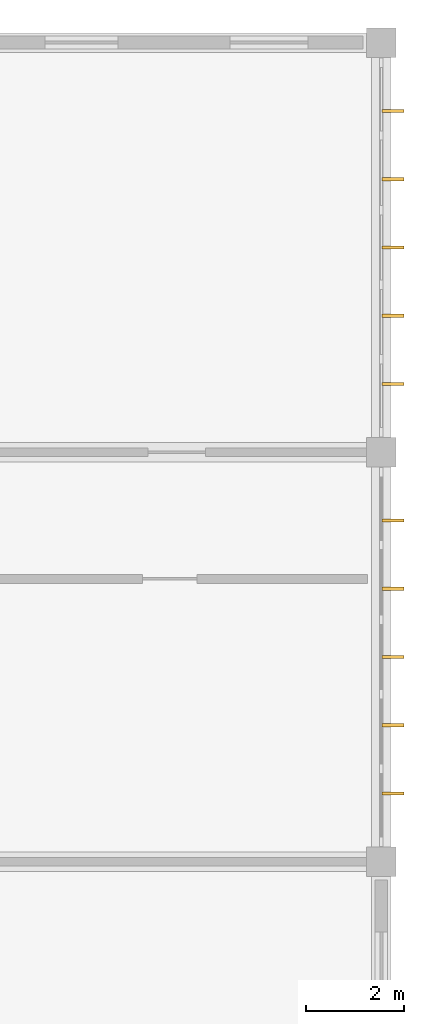
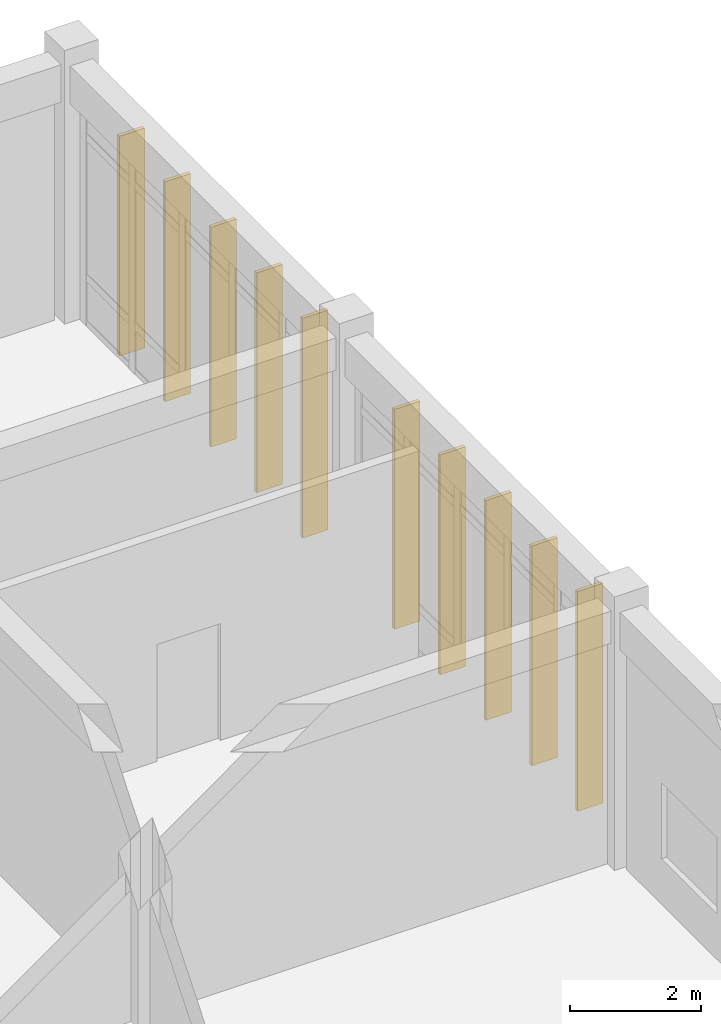
# One storey, part 134 of 134: 10 shading devices.
"""IFC4 building model written with IfcOpenShell, lengths in metres."""

from ifc_helpers import new_model, si_unit, direction, frame, origin, origin_2d, place, context, subcontext, project, spatial, rectangle, extrude, material, material_profile, profile_set, type_object, element, save


model = new_model("IFC4")

# Units and contexts
model_context = context("Model", 3, precision=1e-05, world=origin(), true_north=direction((0.0, 1.0)))
body_context = subcontext(model_context, "Body", "Model", "MODEL_VIEW")
ifc_project = project(units=[si_unit("LENGTHUNIT", "METRE"), si_unit("AREAUNIT", "SQUARE_METRE"), si_unit("VOLUMEUNIT", "CUBIC_METRE"), si_unit("PLANEANGLEUNIT", "RADIAN"), si_unit("MASSUNIT", "GRAM", prefix="KILO")], contexts=[model_context])

# Site, building, storey
site_placement = place(None, origin())
site = spatial("IfcSite", under=ifc_project, at=site_placement, CompositionType="ELEMENT")
building_placement = place(site_placement, origin())
building = spatial("IfcBuilding", under=site, at=building_placement, Name="Bramfleet General Hospital", CompositionType="ELEMENT")
storey_placement = place(building_placement, frame((0.0, 0.0, 9.300048828125)))
storey = spatial("IfcBuildingStorey", under=building, at=storey_placement, Name="L02", CompositionType="ELEMENT", Elevation=9.300048828125)

# Shading devices
ifc_material = material(Name="Treated European larch timber", Category="wood")
ifc_material_profile = material_profile(ifc_material, rectangle(XDim=0.06494140625, YDim=0.449951171875, at=origin_2d()), Name="LARCH FIN 450x65")
ifc_profile_set = profile_set([ifc_material_profile], Name="Treated European larch timber")
shading_device_type = type_object("IfcShadingDeviceType", Name="SHD-FIN-450", PredefinedType="USERDEFINED", material=ifc_profile_set)
for number, where, z_axis, x_axis, name in (
    (1, (168.239990234375, 116.199951171875, -0.02001953125), (0.0, 0.0, 1.0), (0.0, -1.0, 0.0), "L02 Larch Timber Shading Fin 391"),
    (2, (168.239990234375, 114.800048828125, -0.02001953125), (0.0, 0.0, 1.0), (0.0, -1.0, 0.0), "L02 Larch Timber Shading Fin 392"),
    (3, (168.239990234375, 113.39990234375, -0.02001953125), (0.0, 0.0, 1.0), (0.0, -1.0, 0.0), "L02 Larch Timber Shading Fin 393"),
    (4, (168.239990234375, 112.0, -0.02001953125), (0.0, 0.0, 1.0), (0.0, -1.0, 0.0), "L02 Larch Timber Shading Fin 394"),
    (5, (168.239990234375, 110.60009765625, -0.02001953125), (0.0, 0.0, 1.0), (0.0, -1.0, 0.0), "L02 Larch Timber Shading Fin 395"),
    (6, (168.239990234375, 107.800048828125, -0.02001953125), (0.0, 0.0, 1.0), (0.0, -1.0, 0.0), "L02 Larch Timber Shading Fin 396"),
    (7, (168.239990234375, 106.39990234375, -0.02001953125), (0.0, 0.0, 1.0), (0.0, -1.0, 0.0), "L02 Larch Timber Shading Fin 397"),
    (8, (168.239990234375, 105.0, -0.02001953125), (0.0, 0.0, 1.0), (0.0, -1.0, 0.0), "L02 Larch Timber Shading Fin 398"),
    (9, (168.239990234375, 103.60009765625, -0.02001953125), (0.0, 0.0, 1.0), (0.0, -1.0, 0.0), "L02 Larch Timber Shading Fin 399"),
    (10, (168.239990234375, 102.199951171875, -0.02001953125), (0.0, 0.0, 1.0), (0.0, -1.0, 0.0), "L02 Larch Timber Shading Fin 400"),
):
    element("IfcShadingDevice", number, at=place(storey_placement, frame(where, z_axis=z_axis, x_axis=x_axis)), inside=storey, type_object=shading_device_type, Name=name, ObjectType="Fin", PredefinedType="USERDEFINED", context=body_context, shape_type="SweptSolid", body=[
        extrude(rectangle(XDim=0.06494140625, YDim=0.449951171875, at=origin_2d()), origin(), (0.0, 0.0, 1.0), 4.099853515625),
    ])

save(model, "model.ifc")
